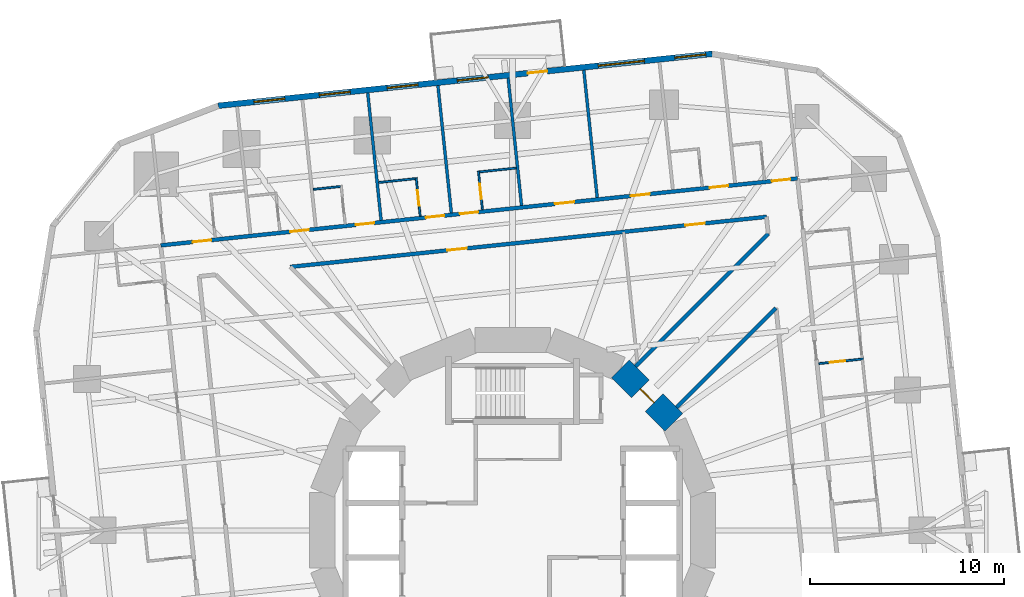
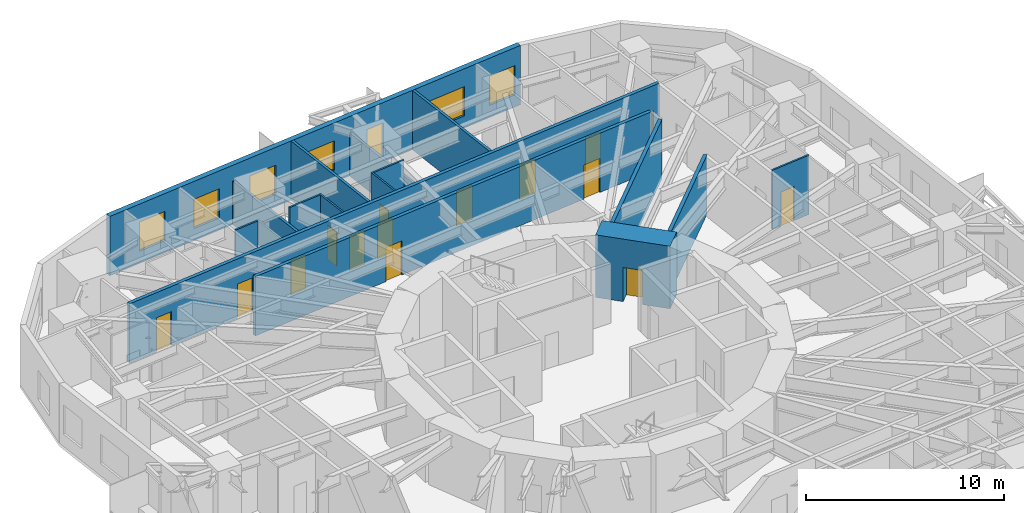
# One storey, part 10 of 13: 16 doors, 16 walls, 6 windows, 22 openings.
"""IFC4 building model written with IfcOpenShell, lengths in metres."""

from ifc_helpers import new_model, si_unit, direction, frame, frame_2d, origin, place, context, subcontext, project, spatial, rectangle, extrude, material, layer, layer_set, type_object, element, fill, save


model = new_model("IFC4")

# Units and contexts
model_context = context("Model", 3, precision=1e-05, world=origin(), true_north=direction((0.0, 1.0)))
body_context = subcontext(model_context, "Body", "Model", "MODEL_VIEW")
ifc_project = project(units=[si_unit("LENGTHUNIT", "METRE"), si_unit("AREAUNIT", "SQUARE_METRE"), si_unit("VOLUMEUNIT", "CUBIC_METRE"), si_unit("PLANEANGLEUNIT", "RADIAN"), si_unit("MASSUNIT", "GRAM", prefix="KILO")], contexts=[model_context])

# Site, building, storey
site_placement = place(None, origin())
site = spatial("IfcSite", under=ifc_project, at=site_placement, CompositionType="ELEMENT")
building_placement = place(site_placement, origin())
building = spatial("IfcBuilding", under=site, at=building_placement, Name="Nakasero Lantern House", CompositionType="ELEMENT")
storey_placement = place(building_placement, frame((0.0, 0.0, 83.60009765625)))
storey = spatial("IfcBuildingStorey", under=building, at=storey_placement, Name="L20", CompositionType="ELEMENT", Elevation=83.60009765625)

# Wall, opening, door
ifc_material_1 = material(Name="Concrete C50/60", Category="concrete")
ifc_layer_1 = layer(ifc_material_1, 1.300048828125)
ifc_layer_set_1 = layer_set([ifc_layer_1], Name="Core wall 1300")
wall_type_1 = type_object("IfcWallType", Name="Core wall 1300", PredefinedType="SHEAR", material=ifc_layer_set_1)
wall_1_placement = place(storey_placement, frame((8.314697265625, 5.5556640625, 0.0), z_axis=(0.0, 0.0, 1.0), x_axis=(-0.707106781187, 0.707106781187, 0.0)))
wall_1 = element("IfcWall", 1, at=wall_1_placement, inside=storey, type_object=wall_type_1, Name="Core wall L20 facet 2", PredefinedType="SHEAR", context=body_context, shape_type="SweptSolid", body=[
    extrude(rectangle(XDim=3.90185546875, YDim=1.300048828125, at=frame_2d((1.950927734375, 0.0))), origin(), (0.0, 0.0, 1.0), 3.849853515625),
])
opening_1_placement = place(wall_1_placement, frame((1.450927734375, 0.0, 0.0)))
opening_1 = element("IfcOpeningElement", 2, at=opening_1_placement, cuts=wall_1, Name="Opening D05", PredefinedType="OPENING", context=body_context, shape_type="SweptSolid", body=[
    extrude(rectangle(XDim=1.0, YDim=2.10009765625, at=frame_2d((0.5, 1.050048828125))), frame((0.0, 0.669921875, 0.0), z_axis=(0.0, -1.0, 0.0), x_axis=(1.0, 0.0, 0.0)), (0.0, 0.0, 1.0), 1.340087890625),
])
ifc_material_2 = material(Name="Timber C24", Category="wood")
door_type_1 = type_object("IfcDoorType", Name="Core door FD60S 1000", OperationType="SINGLE_SWING_LEFT", PredefinedType="DOOR", material=ifc_material_2)
door_1_placement = place(opening_1_placement, origin())
door_1 = element("IfcDoor", 3, at=door_1_placement, inside=storey, type_object=door_type_1, Name="Door L20 D-CORE02", OperationType="SINGLE_SWING_LEFT", OverallHeight=2.10009765625, OverallWidth=1.0, PredefinedType="DOOR", context=body_context, shape_type="SweptSolid", body=[
    extrude(rectangle(XDim=1.0, YDim=2.10009765625, at=frame_2d((0.5, 1.050048828125))), frame((0.0, 0.02490234375, 0.0), z_axis=(0.0, -1.0, 0.0), x_axis=(1.0, 0.0, 0.0)), (0.0, 0.0, 1.0), 0.050048828125),
])
fill(opening_1, door_1)

# Wall, openings, doors
ifc_material_3 = material(Name="Blockwork", Category="masonry")
ifc_layer_2 = layer(ifc_material_3, 0.199951171875)
ifc_layer_set_2 = layer_set([ifc_layer_2], Name="Corridor wall 200")
wall_type_2 = type_object("IfcWallType", Name="Corridor wall 200", PredefinedType="PARTITIONING", material=ifc_layer_set_2)
wall_2_placement = place(storey_placement, frame((14.684814453125, 18.13427734375, 0.0), z_axis=(0.0, 0.0, 1.0), x_axis=(-0.994521777723, -0.10452958258, 0.0)))
wall_2 = element("IfcWall", 4, at=wall_2_placement, inside=storey, type_object=wall_type_2, Name="Corridor wall L20 CW1", PredefinedType="PARTITIONING", context=body_context, shape_type="SweptSolid", body=[
    extrude(rectangle(XDim=32.999755859375, YDim=0.199951171875, at=frame_2d((16.5, 0.0))), origin(), (0.0, 0.0, 1.0), 3.64990234375),
])
opening_2_placement = place(wall_2_placement, frame((0.375, 0.0, 0.0)))
opening_2 = element("IfcOpeningElement", 5, at=opening_2_placement, cuts=wall_2, Name="Opening D01", PredefinedType="OPENING", context=body_context, shape_type="SweptSolid", body=[
    extrude(rectangle(XDim=0.949951171875, YDim=2.10009765625, at=frame_2d((0.47509765625, 1.050048828125))), frame((0.0, 0.119873046875, 0.0), z_axis=(0.0, -1.0, 0.0), x_axis=(1.0, 0.0, 0.0)), (0.0, 0.0, 1.0), 0.239990234375),
])
opening_3_placement = place(wall_2_placement, frame((3.600341796875, 0.0, 0.0)))
opening_3 = element("IfcOpeningElement", 6, at=opening_3_placement, cuts=wall_2, Name="Opening D01", PredefinedType="OPENING", context=body_context, shape_type="SweptSolid", body=[
    extrude(rectangle(XDim=0.949951171875, YDim=2.10009765625, at=frame_2d((0.47509765625, 1.050048828125))), frame((0.0, 0.119873046875, 0.0), z_axis=(0.0, -1.0, 0.0), x_axis=(1.0, 0.0, 0.0)), (0.0, 0.0, 1.0), 0.239990234375),
])
opening_4_placement = place(wall_2_placement, frame((16.542724609375, 0.0, 0.0)))
opening_4 = element("IfcOpeningElement", 7, at=opening_4_placement, cuts=wall_2, Name="Opening D01", PredefinedType="OPENING", context=body_context, shape_type="SweptSolid", body=[
    extrude(rectangle(XDim=0.949951171875, YDim=2.10009765625, at=frame_2d((0.47509765625, 1.050048828125))), frame((0.0, 0.119873046875, 0.0), z_axis=(0.0, -1.0, 0.0), x_axis=(1.0, 0.0, 0.0)), (0.0, 0.0, 1.0), 0.239990234375),
])
opening_5_placement = place(wall_2_placement, frame((18.306396484375, 0.0, 0.0)))
opening_5 = element("IfcOpeningElement", 8, at=opening_5_placement, cuts=wall_2, Name="Opening D01", PredefinedType="OPENING", context=body_context, shape_type="SweptSolid", body=[
    extrude(rectangle(XDim=0.949951171875, YDim=2.10009765625, at=frame_2d((0.47509765625, 1.050048828125))), frame((0.0, 0.119873046875, 0.0), z_axis=(0.0, -1.0, 0.0), x_axis=(1.0, 0.0, 0.0)), (0.0, 0.0, 1.0), 0.239990234375),
])
opening_6_placement = place(wall_2_placement, frame((21.945068359375, 0.0, 0.0)))
opening_6 = element("IfcOpeningElement", 9, at=opening_6_placement, cuts=wall_2, Name="Opening D01", PredefinedType="OPENING", context=body_context, shape_type="SweptSolid", body=[
    extrude(rectangle(XDim=0.949951171875, YDim=2.10009765625, at=frame_2d((0.47509765625, 1.050048828125))), frame((0.0, 0.119873046875, 0.0), z_axis=(0.0, -1.0, 0.0), x_axis=(1.0, 0.0, 0.0)), (0.0, 0.0, 1.0), 0.239990234375),
])
opening_7_placement = place(wall_2_placement, frame((25.33056640625, 0.0, 0.0)))
opening_7 = element("IfcOpeningElement", 10, at=opening_7_placement, cuts=wall_2, Name="Opening D01", PredefinedType="OPENING", context=body_context, shape_type="SweptSolid", body=[
    extrude(rectangle(XDim=0.949951171875, YDim=2.10009765625, at=frame_2d((0.47509765625, 1.050048828125))), frame((0.0, 0.119873046875, 0.0), z_axis=(0.0, -1.0, 0.0), x_axis=(1.0, 0.0, 0.0)), (0.0, 0.0, 1.0), 0.239990234375),
])
opening_8_placement = place(wall_2_placement, frame((30.39111328125, 0.0, 0.0)))
opening_8 = element("IfcOpeningElement", 11, at=opening_8_placement, cuts=wall_2, Name="Opening D01", PredefinedType="OPENING", context=body_context, shape_type="SweptSolid", body=[
    extrude(rectangle(XDim=0.949951171875, YDim=2.10009765625, at=frame_2d((0.47509765625, 1.050048828125))), frame((0.0, 0.119873046875, 0.0), z_axis=(0.0, -1.0, 0.0), x_axis=(1.0, 0.0, 0.0)), (0.0, 0.0, 1.0), 0.239990234375),
])
opening_9_placement = place(wall_2_placement, frame((7.650634765625, 0.0, 0.0)))
opening_9 = element("IfcOpeningElement", 12, at=opening_9_placement, cuts=wall_2, Name="Opening D03", PredefinedType="OPENING", context=body_context, shape_type="SweptSolid", body=[
    extrude(rectangle(XDim=1.0, YDim=2.10009765625, at=frame_2d((0.5, 1.050048828125))), frame((0.0, 0.119873046875, 0.0), z_axis=(0.0, -1.0, 0.0), x_axis=(1.0, 0.0, 0.0)), (0.0, 0.0, 1.0), 0.239990234375),
])
opening_10_placement = place(wall_2_placement, frame((11.57177734375, 0.0, 0.0)))
opening_10 = element("IfcOpeningElement", 13, at=opening_10_placement, cuts=wall_2, Name="Opening D03", PredefinedType="OPENING", context=body_context, shape_type="SweptSolid", body=[
    extrude(rectangle(XDim=1.0, YDim=2.10009765625, at=frame_2d((0.5, 1.050048828125))), frame((0.0, 0.119873046875, 0.0), z_axis=(0.0, -1.0, 0.0), x_axis=(1.0, 0.0, 0.0)), (0.0, 0.0, 1.0), 0.239990234375),
])
ifc_material_4 = material(Name="Timber C24", Category="wood")
door_type_2 = type_object("IfcDoorType", Name="Bedroom door FD30S 950", OperationType="SINGLE_SWING_LEFT", PredefinedType="DOOR", material=ifc_material_4)
door_2_placement = place(opening_2_placement, origin())
door_2 = element("IfcDoor", 14, at=door_2_placement, inside=storey, type_object=door_type_2, Name="Door L20 D1-00", OperationType="SINGLE_SWING_LEFT", OverallHeight=2.10009765625, OverallWidth=0.949951171875, PredefinedType="DOOR", context=body_context, shape_type="SweptSolid", body=[
    extrude(rectangle(XDim=0.949951171875, YDim=2.10009765625, at=frame_2d((0.47509765625, 1.050048828125))), frame((0.0, 0.02490234375, 0.0), z_axis=(0.0, -1.0, 0.0), x_axis=(1.0, 0.0, 0.0)), (0.0, 0.0, 1.0), 0.050048828125),
])
fill(opening_2, door_2)
door_3_placement = place(opening_3_placement, origin())
door_3 = element("IfcDoor", 15, at=door_3_placement, inside=storey, type_object=door_type_2, Name="Door L20 D1-01", OperationType="SINGLE_SWING_LEFT", OverallHeight=2.10009765625, OverallWidth=0.949951171875, PredefinedType="DOOR", context=body_context, shape_type="SweptSolid", body=[
    extrude(rectangle(XDim=0.949951171875, YDim=2.10009765625, at=frame_2d((0.47509765625, 1.050048828125))), frame((0.0, 0.02490234375, 0.0), z_axis=(0.0, -1.0, 0.0), x_axis=(1.0, 0.0, 0.0)), (0.0, 0.0, 1.0), 0.050048828125),
])
fill(opening_3, door_3)
door_4_placement = place(opening_4_placement, origin())
door_4 = element("IfcDoor", 16, at=door_4_placement, inside=storey, type_object=door_type_2, Name="Door L20 D1-04", OperationType="SINGLE_SWING_RIGHT", OverallHeight=2.10009765625, OverallWidth=0.949951171875, PredefinedType="DOOR", context=body_context, shape_type="SweptSolid", body=[
    extrude(rectangle(XDim=0.949951171875, YDim=2.10009765625, at=frame_2d((0.47509765625, 1.050048828125))), frame((0.0, 0.02490234375, 0.0), z_axis=(0.0, -1.0, 0.0), x_axis=(1.0, 0.0, 0.0)), (0.0, 0.0, 1.0), 0.050048828125),
])
fill(opening_4, door_4)
door_5_placement = place(opening_5_placement, origin())
door_5 = element("IfcDoor", 17, at=door_5_placement, inside=storey, type_object=door_type_2, Name="Door L20 D1-05", OperationType="SINGLE_SWING_RIGHT", OverallHeight=2.10009765625, OverallWidth=0.949951171875, PredefinedType="DOOR", context=body_context, shape_type="SweptSolid", body=[
    extrude(rectangle(XDim=0.949951171875, YDim=2.10009765625, at=frame_2d((0.47509765625, 1.050048828125))), frame((0.0, 0.02490234375, 0.0), z_axis=(0.0, -1.0, 0.0), x_axis=(1.0, 0.0, 0.0)), (0.0, 0.0, 1.0), 0.050048828125),
])
fill(opening_5, door_5)
door_6_placement = place(opening_6_placement, origin())
door_6 = element("IfcDoor", 18, at=door_6_placement, inside=storey, type_object=door_type_2, Name="Door L20 D1-06", OperationType="SINGLE_SWING_RIGHT", OverallHeight=2.10009765625, OverallWidth=0.949951171875, PredefinedType="DOOR", context=body_context, shape_type="SweptSolid", body=[
    extrude(rectangle(XDim=0.949951171875, YDim=2.10009765625, at=frame_2d((0.47509765625, 1.050048828125))), frame((0.0, 0.02490234375, 0.0), z_axis=(0.0, -1.0, 0.0), x_axis=(1.0, 0.0, 0.0)), (0.0, 0.0, 1.0), 0.050048828125),
])
fill(opening_6, door_6)
door_7_placement = place(opening_7_placement, origin())
door_7 = element("IfcDoor", 19, at=door_7_placement, inside=storey, type_object=door_type_2, Name="Door L20 D1-07", OperationType="SINGLE_SWING_RIGHT", OverallHeight=2.10009765625, OverallWidth=0.949951171875, PredefinedType="DOOR", context=body_context, shape_type="SweptSolid", body=[
    extrude(rectangle(XDim=0.949951171875, YDim=2.10009765625, at=frame_2d((0.47509765625, 1.050048828125))), frame((0.0, 0.02490234375, 0.0), z_axis=(0.0, -1.0, 0.0), x_axis=(1.0, 0.0, 0.0)), (0.0, 0.0, 1.0), 0.050048828125),
])
fill(opening_7, door_7)
door_8_placement = place(opening_8_placement, origin())
door_8 = element("IfcDoor", 20, at=door_8_placement, inside=storey, type_object=door_type_2, Name="Door L20 D1-08", OperationType="SINGLE_SWING_RIGHT", OverallHeight=2.10009765625, OverallWidth=0.949951171875, PredefinedType="DOOR", context=body_context, shape_type="SweptSolid", body=[
    extrude(rectangle(XDim=0.949951171875, YDim=2.10009765625, at=frame_2d((0.47509765625, 1.050048828125))), frame((0.0, 0.02490234375, 0.0), z_axis=(0.0, -1.0, 0.0), x_axis=(1.0, 0.0, 0.0)), (0.0, 0.0, 1.0), 0.050048828125),
])
fill(opening_8, door_8)
ifc_material_5 = material(Name="Timber C24", Category="wood")
door_type_3 = type_object("IfcDoorType", Name="Lounge door FD30S 1000", OperationType="SINGLE_SWING_LEFT", PredefinedType="DOOR", material=ifc_material_5)
door_9_placement = place(opening_9_placement, origin())
door_9 = element("IfcDoor", 21, at=door_9_placement, inside=storey, type_object=door_type_3, Name="Door L20 DK1", OperationType="SINGLE_SWING_LEFT", OverallHeight=2.10009765625, OverallWidth=1.0, PredefinedType="DOOR", context=body_context, shape_type="SweptSolid", body=[
    extrude(rectangle(XDim=1.0, YDim=2.10009765625, at=frame_2d((0.5, 1.050048828125))), frame((0.0, 0.02490234375, 0.0), z_axis=(0.0, -1.0, 0.0), x_axis=(1.0, 0.0, 0.0)), (0.0, 0.0, 1.0), 0.050048828125),
])
fill(opening_9, door_9)
door_10_placement = place(opening_10_placement, origin())
door_10 = element("IfcDoor", 22, at=door_10_placement, inside=storey, type_object=door_type_3, Name="Door L20 DK1-1", OperationType="SINGLE_SWING_LEFT", OverallHeight=2.10009765625, OverallWidth=1.0, PredefinedType="DOOR", context=body_context, shape_type="SweptSolid", body=[
    extrude(rectangle(XDim=1.0, YDim=2.10009765625, at=frame_2d((0.5, 1.050048828125))), frame((0.0, 0.02490234375, 0.0), z_axis=(0.0, -1.0, 0.0), x_axis=(1.0, 0.0, 0.0)), (0.0, 0.0, 1.0), 0.050048828125),
])
fill(opening_10, door_10)

wall_3_placement = place(storey_placement, frame((13.0830078125, 16.156005859375, 0.0), z_axis=(0.0, 0.0, 1.0), x_axis=(-0.994521922819, -0.104528202096, 0.0)))
wall_3 = element("IfcWall", 23, at=wall_3_placement, inside=storey, type_object=wall_type_2, Name="Corridor wall L20 IW1-0", PredefinedType="PARTITIONING", context=body_context, shape_type="SweptSolid", body=[
    extrude(rectangle(XDim=24.673828125, YDim=0.199951171875, at=frame_2d((12.3369140625, 0.0))), origin(), (0.0, 0.0, 1.0), 3.64990234375),
])
opening_11_placement = place(wall_3_placement, frame((3.201171875, 0.0, 0.0)))
opening_11 = element("IfcOpeningElement", 24, at=opening_11_placement, cuts=wall_3, Name="Opening D07", PredefinedType="OPENING", context=body_context, shape_type="SweptSolid", body=[
    extrude(rectangle(XDim=1.0, YDim=2.10009765625, at=frame_2d((0.5, 1.050048828125))), frame((0.0, 0.119873046875, 0.0), z_axis=(0.0, -1.0, 0.0), x_axis=(1.0, 0.0, 0.0)), (0.0, 0.0, 1.0), 0.239990234375),
])
opening_12_placement = place(wall_3_placement, frame((15.537841796875, 0.0, 0.0)))
opening_12 = element("IfcOpeningElement", 25, at=opening_12_placement, cuts=wall_3, Name="Opening D07", PredefinedType="OPENING", context=body_context, shape_type="SweptSolid", body=[
    extrude(rectangle(XDim=1.0, YDim=2.10009765625, at=frame_2d((0.5, 1.050048828125))), frame((0.0, 0.119873046875, 0.0), z_axis=(0.0, -1.0, 0.0), x_axis=(1.0, 0.0, 0.0)), (0.0, 0.0, 1.0), 0.239990234375),
])
ifc_material_6 = material(Name="Timber C24", Category="wood")
door_type_4 = type_object("IfcDoorType", Name="Room door FD30S 1000", OperationType="SINGLE_SWING_LEFT", PredefinedType="DOOR", material=ifc_material_6)
door_11_placement = place(opening_11_placement, origin())
door_11 = element("IfcDoor", 26, at=door_11_placement, inside=storey, type_object=door_type_4, Name="Door L20 DI3", OperationType="SINGLE_SWING_LEFT", OverallHeight=2.10009765625, OverallWidth=1.0, PredefinedType="DOOR", context=body_context, shape_type="SweptSolid", body=[
    extrude(rectangle(XDim=1.0, YDim=2.10009765625, at=frame_2d((0.5, 1.050048828125))), frame((0.0, 0.02490234375, 0.0), z_axis=(0.0, -1.0, 0.0), x_axis=(1.0, 0.0, 0.0)), (0.0, 0.0, 1.0), 0.050048828125),
])
fill(opening_11, door_11)
door_12_placement = place(opening_12_placement, origin())
door_12 = element("IfcDoor", 27, at=door_12_placement, inside=storey, type_object=door_type_4, Name="Door L20 DI3S", OperationType="SINGLE_SWING_RIGHT", OverallHeight=2.10009765625, OverallWidth=1.0, PredefinedType="DOOR", context=body_context, shape_type="SweptSolid", body=[
    extrude(rectangle(XDim=1.0, YDim=2.10009765625, at=frame_2d((0.5, 1.050048828125))), frame((0.0, 0.02490234375, 0.0), z_axis=(0.0, -1.0, 0.0), x_axis=(1.0, 0.0, 0.0)), (0.0, 0.0, 1.0), 0.050048828125),
])
fill(opening_12, door_12)

# Walls
wall_4_placement = place(storey_placement, frame((6.334228515625, 8.45556640625, 0.0), z_axis=(0.0, 0.0, 1.0), x_axis=(0.707106781187, 0.707106781187, 0.0)))
element("IfcWall", 28, at=wall_4_placement, inside=storey, type_object=wall_type_2, Name="Corridor wall L20 PS02a", PredefinedType="PARTITIONING", context=body_context, shape_type="SweptSolid", body=[
    extrude(rectangle(XDim=9.671875, YDim=0.199951171875, at=frame_2d((4.8359375, 0.0))), origin(), (0.0, 0.0, 1.0), 3.64990234375),
])
wall_5_placement = place(storey_placement, frame((8.45556640625, 6.334228515625, 0.0), z_axis=(0.0, 0.0, 1.0), x_axis=(0.707106781187, 0.707106781187, 0.0)))
element("IfcWall", 29, at=wall_5_placement, inside=storey, type_object=wall_type_2, Name="Corridor wall L20 PS02b", PredefinedType="PARTITIONING", context=body_context, shape_type="SweptSolid", body=[
    extrude(rectangle(XDim=7.24267578125, YDim=0.199951171875, at=frame_2d((3.621337890625, 0.0))), origin(), (0.0, 0.0, 1.0), 3.64990234375),
])

# Wall, opening, door
ifc_material_7 = material(Name="Blockwork", Category="masonry")
ifc_layer_3 = layer(ifc_material_7, 0.10009765625)
ifc_layer_set_3 = layer_set([ifc_layer_3], Name="En-suite wall 100")
wall_type_3 = type_object("IfcWallType", Name="En-suite wall 100", PredefinedType="PARTITIONING", material=ifc_layer_set_3)
wall_6_placement = place(storey_placement, frame((15.788330078125, 8.592529296875, 0.0), z_axis=(0.0, 0.0, 1.0), x_axis=(0.994529855142, 0.104452703326, 0.0)))
wall_6 = element("IfcWall", 30, at=wall_6_placement, inside=storey, type_object=wall_type_3, Name="En-suite wall L20 ES0-06", PredefinedType="PARTITIONING", context=body_context, shape_type="SweptSolid", body=[
    extrude(rectangle(XDim=2.300048828125, YDim=0.10009765625, at=frame_2d((1.14990234375, 0.0))), origin(), (0.0, 0.0, 1.0), 3.64990234375),
])
opening_13_placement = place(wall_6_placement, frame((0.550048828125, 0.0, 0.0)))
opening_13 = element("IfcOpeningElement", 31, at=opening_13_placement, cuts=wall_6, Name="Opening D02", PredefinedType="OPENING", context=body_context, shape_type="SweptSolid", body=[
    extrude(rectangle(XDim=0.800048828125, YDim=2.10009765625, at=frame_2d((0.39990234375, 1.050048828125))), frame((0.0, 0.070068359375, 0.0), z_axis=(0.0, -1.0, 0.0), x_axis=(1.0, 0.0, 0.0)), (0.0, 0.0, 1.0), 0.14013671875),
])
ifc_material_8 = material(Name="Timber C24", Category="wood")
door_type_5 = type_object("IfcDoorType", Name="En-suite door 800", OperationType="SINGLE_SWING_RIGHT", PredefinedType="DOOR", material=ifc_material_8)
door_13_placement = place(opening_13_placement, origin())
door_13 = element("IfcDoor", 32, at=door_13_placement, inside=storey, type_object=door_type_5, Name="Door L20 DE0-06", OperationType="SINGLE_SWING_LEFT", OverallHeight=2.10009765625, OverallWidth=0.800048828125, PredefinedType="DOOR", context=body_context, shape_type="SweptSolid", body=[
    extrude(rectangle(XDim=0.800048828125, YDim=2.10009765625, at=frame_2d((0.39990234375, 1.050048828125))), frame((0.0, 0.02490234375, 0.0), z_axis=(0.0, -1.0, 0.0), x_axis=(1.0, 0.0, 0.0)), (0.0, 0.0, 1.0), 0.050048828125),
])
fill(opening_13, door_13)

wall_7_placement = place(storey_placement, frame((-1.553955078125, 16.528076171875, 0.0), z_axis=(0.0, 0.0, 1.0), x_axis=(-0.104494148666, 0.99452550138, 0.0)))
wall_7 = element("IfcWall", 33, at=wall_7_placement, inside=storey, type_object=wall_type_3, Name="En-suite wall L20 ES1-04", PredefinedType="PARTITIONING", context=body_context, shape_type="SweptSolid", body=[
    extrude(rectangle(XDim=2.0, YDim=0.10009765625, at=frame_2d((1.0, 0.0))), origin(), (0.0, 0.0, 1.0), 3.64990234375),
])
opening_14_placement = place(wall_7_placement, frame((0.550048828125, 0.0, 0.0)))
opening_14 = element("IfcOpeningElement", 34, at=opening_14_placement, cuts=wall_7, Name="Opening D02", PredefinedType="OPENING", context=body_context, shape_type="SweptSolid", body=[
    extrude(rectangle(XDim=0.800048828125, YDim=2.10009765625, at=frame_2d((0.39990234375, 1.050048828125))), frame((0.0, 0.070068359375, 0.0), z_axis=(0.0, -1.0, 0.0), x_axis=(1.0, 0.0, 0.0)), (0.0, 0.0, 1.0), 0.14013671875),
])
door_14_placement = place(opening_14_placement, origin())
door_14 = element("IfcDoor", 35, at=door_14_placement, inside=storey, type_object=door_type_5, Name="Door L20 DE1-04", OperationType="SINGLE_SWING_LEFT", OverallHeight=2.10009765625, OverallWidth=0.800048828125, PredefinedType="DOOR", context=body_context, shape_type="SweptSolid", body=[
    extrude(rectangle(XDim=0.800048828125, YDim=2.10009765625, at=frame_2d((0.39990234375, 1.050048828125))), frame((0.0, 0.02490234375, 0.0), z_axis=(0.0, -1.0, 0.0), x_axis=(1.0, 0.0, 0.0)), (0.0, 0.0, 1.0), 0.050048828125),
])
fill(opening_14, door_14)

# Wall
wall_8_placement = place(storey_placement, frame((0.181396484375, 18.671142578125, 0.0), z_axis=(0.0, 0.0, 1.0), x_axis=(-0.994527260141, -0.104477408256, 0.0)))
element("IfcWall", 36, at=wall_8_placement, inside=storey, type_object=wall_type_3, Name="En-suite wall L20 EE1-04", PredefinedType="PARTITIONING", context=body_context, shape_type="SweptSolid", body=[
    extrude(rectangle(XDim=1.89990234375, YDim=0.10009765625, at=frame_2d((0.949951171875, 0.0))), origin(), (0.0, 0.0, 1.0), 3.64990234375),
])

# Wall, opening, door
wall_9_placement = place(storey_placement, frame((-4.763427734375, 16.190673828125, 0.0), z_axis=(0.0, 0.0, 1.0), x_axis=(-0.104602187203, 0.994514143908, 0.0)))
wall_9 = element("IfcWall", 37, at=wall_9_placement, inside=storey, type_object=wall_type_3, Name="En-suite wall L20 ES1-05", PredefinedType="PARTITIONING", context=body_context, shape_type="SweptSolid", body=[
    extrude(rectangle(XDim=2.000244140625, YDim=0.10009765625, at=frame_2d((1.0, 0.0))), origin(), (0.0, 0.0, 1.0), 3.64990234375),
])
opening_15_placement = place(wall_9_placement, frame((0.550048828125, 0.0, 0.0)))
opening_15 = element("IfcOpeningElement", 38, at=opening_15_placement, cuts=wall_9, Name="Opening D02", PredefinedType="OPENING", context=body_context, shape_type="SweptSolid", body=[
    extrude(rectangle(XDim=0.800048828125, YDim=2.10009765625, at=frame_2d((0.39990234375, 1.050048828125))), frame((0.0, 0.070068359375, 0.0), z_axis=(0.0, -1.0, 0.0), x_axis=(1.0, 0.0, 0.0)), (0.0, 0.0, 1.0), 0.14013671875),
])
door_15_placement = place(opening_15_placement, origin())
door_15 = element("IfcDoor", 39, at=door_15_placement, inside=storey, type_object=door_type_5, Name="Door L20 DE1-05", OperationType="SINGLE_SWING_LEFT", OverallHeight=2.10009765625, OverallWidth=0.800048828125, PredefinedType="DOOR", context=body_context, shape_type="SweptSolid", body=[
    extrude(rectangle(XDim=0.800048828125, YDim=2.10009765625, at=frame_2d((0.39990234375, 1.050048828125))), frame((0.0, 0.02490234375, 0.0), z_axis=(0.0, -1.0, 0.0), x_axis=(1.0, 0.0, 0.0)), (0.0, 0.0, 1.0), 0.050048828125),
])
fill(opening_15, door_15)

# Walls
wall_10_placement = place(storey_placement, frame((-5.01708984375, 18.124755859375, 0.0), z_axis=(0.0, 0.0, 1.0), x_axis=(-0.994528662611, -0.104464057197, 0.0)))
element("IfcWall", 40, at=wall_10_placement, inside=storey, type_object=wall_type_3, Name="En-suite wall L20 EE1-05", PredefinedType="PARTITIONING", context=body_context, shape_type="SweptSolid", body=[
    extrude(rectangle(XDim=1.900146484375, YDim=0.10009765625, at=frame_2d((0.9501953125, 0.0))), origin(), (0.0, 0.0, 1.0), 3.64990234375),
])
wall_11_placement = place(storey_placement, frame((-8.88134765625, 17.71875, 0.0), z_axis=(0.0, 0.0, 1.0), x_axis=(-0.994511184598, -0.104630319263, 0.0)))
element("IfcWall", 41, at=wall_11_placement, inside=storey, type_object=wall_type_3, Name="En-suite wall L20 EE1-06", PredefinedType="PARTITIONING", context=body_context, shape_type="SweptSolid", body=[
    extrude(rectangle(XDim=1.39990234375, YDim=0.10009765625, at=frame_2d((0.699951171875, 0.0))), origin(), (0.0, 0.0, 1.0), 3.64990234375),
])

# Wall, openings, door, windows
ifc_material_9 = material(Name="Aluminium rainscreen on blockwork", Category="masonry")
ifc_layer_4 = layer(ifc_material_9, 0.300048828125)
ifc_layer_set_4 = layer_set([ifc_layer_4], Name="Facade wall 300")
wall_type_4 = type_object("IfcWallType", Name="Facade wall 300", PredefinedType="SOLIDWALL", material=ifc_layer_set_4)
wall_12_placement = place(storey_placement, frame((10.2890625, 24.56005859375, 0.0), z_axis=(0.0, 0.0, 1.0), x_axis=(-0.994521483895, -0.104532378096, 0.0)))
wall_12 = element("IfcWall", 42, at=wall_12_placement, inside=storey, type_object=wall_type_4, Name="Facade wall L20 FW1S", PredefinedType="SOLIDWALL", context=body_context, shape_type="SweptSolid", body=[
    extrude(rectangle(XDim=25.599853515625, YDim=0.300048828125, at=frame_2d((12.7998046875, 0.0))), origin(), (0.0, 0.0, 1.0), 3.64990234375),
])
opening_16_placement = place(wall_12_placement, frame((0.337890625, 0.0, 0.75)))
opening_16 = element("IfcOpeningElement", 43, at=opening_16_placement, cuts=wall_12, Name="Opening W01", PredefinedType="OPENING", context=body_context, shape_type="SweptSolid", body=[
    extrude(rectangle(XDim=1.60009765625, YDim=1.800048828125, at=frame_2d((0.800048828125, 0.89990234375))), frame((0.0, 0.169921875, 0.0), z_axis=(0.0, -1.0, 0.0), x_axis=(1.0, 0.0, 0.0)), (0.0, 0.0, 1.0), 0.340087890625),
])
opening_17_placement = place(wall_12_placement, frame((11.612060546875, 0.0, 0.75)))
opening_17 = element("IfcOpeningElement", 44, at=opening_17_placement, cuts=wall_12, Name="Opening W01", PredefinedType="OPENING", context=body_context, shape_type="SweptSolid", body=[
    extrude(rectangle(XDim=1.60009765625, YDim=1.800048828125, at=frame_2d((0.800048828125, 0.89990234375))), frame((0.0, 0.169921875, 0.0), z_axis=(0.0, -1.0, 0.0), x_axis=(1.0, 0.0, 0.0)), (0.0, 0.0, 1.0), 0.340087890625),
])
opening_18_placement = place(wall_12_placement, frame((15.250732421875, 0.0, 0.75)))
opening_18 = element("IfcOpeningElement", 45, at=opening_18_placement, cuts=wall_12, Name="Opening W01", PredefinedType="OPENING", context=body_context, shape_type="SweptSolid", body=[
    extrude(rectangle(XDim=1.60009765625, YDim=1.800048828125, at=frame_2d((0.800048828125, 0.89990234375))), frame((0.0, 0.169921875, 0.0), z_axis=(0.0, -1.0, 0.0), x_axis=(1.0, 0.0, 0.0)), (0.0, 0.0, 1.0), 0.340087890625),
])
opening_19_placement = place(wall_12_placement, frame((18.7626953125, 0.0, 0.75)))
opening_19 = element("IfcOpeningElement", 46, at=opening_19_placement, cuts=wall_12, Name="Opening W01", PredefinedType="OPENING", context=body_context, shape_type="SweptSolid", body=[
    extrude(rectangle(XDim=1.60009765625, YDim=1.800048828125, at=frame_2d((0.800048828125, 0.89990234375))), frame((0.0, 0.169921875, 0.0), z_axis=(0.0, -1.0, 0.0), x_axis=(1.0, 0.0, 0.0)), (0.0, 0.0, 1.0), 0.340087890625),
])
opening_20_placement = place(wall_12_placement, frame((22.1484375, 0.0, 0.75)))
opening_20 = element("IfcOpeningElement", 47, at=opening_20_placement, cuts=wall_12, Name="Opening W01", PredefinedType="OPENING", context=body_context, shape_type="SweptSolid", body=[
    extrude(rectangle(XDim=1.60009765625, YDim=1.800048828125, at=frame_2d((0.800048828125, 0.89990234375))), frame((0.0, 0.169921875, 0.0), z_axis=(0.0, -1.0, 0.0), x_axis=(1.0, 0.0, 0.0)), (0.0, 0.0, 1.0), 0.340087890625),
])
opening_21_placement = place(wall_12_placement, frame((3.51123046875, 0.0, 0.75)))
opening_21 = element("IfcOpeningElement", 48, at=opening_21_placement, cuts=wall_12, Name="Opening W03", PredefinedType="OPENING", context=body_context, shape_type="SweptSolid", body=[
    extrude(rectangle(XDim=2.39990234375, YDim=1.800048828125, at=frame_2d((1.199951171875, 0.89990234375))), frame((0.0, 0.169921875, 0.0), z_axis=(0.0, -1.0, 0.0), x_axis=(1.0, 0.0, 0.0)), (0.0, 0.0, 1.0), 0.340087890625),
])
opening_22_placement = place(wall_12_placement, frame((8.558837890625, 0.0, 0.0)))
opening_22 = element("IfcOpeningElement", 49, at=opening_22_placement, cuts=wall_12, Name="Opening D04", PredefinedType="OPENING", context=body_context, shape_type="SweptSolid", body=[
    extrude(rectangle(XDim=1.0, YDim=2.39990234375, at=frame_2d((0.5, 1.199951171875))), frame((0.0, 0.169921875, 0.0), z_axis=(0.0, -1.0, 0.0), x_axis=(1.0, 0.0, 0.0)), (0.0, 0.0, 1.0), 0.340087890625),
])
ifc_material_10 = material(Name="Aluminium 6063-T6 and glass", Category="aluminium")
door_type_6 = type_object("IfcDoorType", Name="Balcony door 1000x2400", OperationType="SINGLE_SWING_RIGHT", PredefinedType="DOOR", material=ifc_material_10)
door_16_placement = place(opening_22_placement, origin())
door_16 = element("IfcDoor", 50, at=door_16_placement, inside=storey, type_object=door_type_6, Name="Balcony door L20 DB1", OperationType="SINGLE_SWING_RIGHT", OverallHeight=2.39990234375, OverallWidth=1.0, PredefinedType="DOOR", context=body_context, shape_type="SweptSolid", body=[
    extrude(rectangle(XDim=1.0, YDim=2.39990234375, at=frame_2d((0.5, 1.199951171875))), frame((0.0, 0.02490234375, 0.0), z_axis=(0.0, -1.0, 0.0), x_axis=(1.0, 0.0, 0.0)), (0.0, 0.0, 1.0), 0.050048828125),
])
fill(opening_22, door_16)
ifc_material_11 = material(Name="Aluminium 6063-T6 and glass", Category="aluminium")
window_type_1 = type_object("IfcWindowType", Name="Bedroom window 1600x1800", PartitioningType="SINGLE_PANEL", PredefinedType="WINDOW", material=ifc_material_11)
window_1_placement = place(opening_16_placement, origin())
window_1 = element("IfcWindow", 51, at=window_1_placement, inside=storey, type_object=window_type_1, Name="Window L20 WN1-01", OverallHeight=1.800048828125, OverallWidth=1.60009765625, PartitioningType="SINGLE_PANEL", PredefinedType="WINDOW", context=body_context, shape_type="SweptSolid", body=[
    extrude(rectangle(XDim=1.60009765625, YDim=1.800048828125, at=frame_2d((0.800048828125, 0.89990234375))), frame((0.0, 0.030029296875, 0.0), z_axis=(0.0, -1.0, 0.0), x_axis=(1.0, 0.0, 0.0)), (0.0, 0.0, 1.0), 0.06005859375),
])
fill(opening_16, window_1)
window_2_placement = place(opening_17_placement, origin())
window_2 = element("IfcWindow", 52, at=window_2_placement, inside=storey, type_object=window_type_1, Name="Window L20 WN1-04", OverallHeight=1.800048828125, OverallWidth=1.60009765625, PartitioningType="SINGLE_PANEL", PredefinedType="WINDOW", context=body_context, shape_type="SweptSolid", body=[
    extrude(rectangle(XDim=1.60009765625, YDim=1.800048828125, at=frame_2d((0.800048828125, 0.89990234375))), frame((0.0, 0.030029296875, 0.0), z_axis=(0.0, -1.0, 0.0), x_axis=(1.0, 0.0, 0.0)), (0.0, 0.0, 1.0), 0.06005859375),
])
fill(opening_17, window_2)
window_3_placement = place(opening_18_placement, origin())
window_3 = element("IfcWindow", 53, at=window_3_placement, inside=storey, type_object=window_type_1, Name="Window L20 WN1-05", OverallHeight=1.800048828125, OverallWidth=1.60009765625, PartitioningType="SINGLE_PANEL", PredefinedType="WINDOW", context=body_context, shape_type="SweptSolid", body=[
    extrude(rectangle(XDim=1.60009765625, YDim=1.800048828125, at=frame_2d((0.800048828125, 0.89990234375))), frame((0.0, 0.030029296875, 0.0), z_axis=(0.0, -1.0, 0.0), x_axis=(1.0, 0.0, 0.0)), (0.0, 0.0, 1.0), 0.06005859375),
])
fill(opening_18, window_3)
window_4_placement = place(opening_19_placement, origin())
window_4 = element("IfcWindow", 54, at=window_4_placement, inside=storey, type_object=window_type_1, Name="Window L20 WN1-06", OverallHeight=1.800048828125, OverallWidth=1.60009765625, PartitioningType="SINGLE_PANEL", PredefinedType="WINDOW", context=body_context, shape_type="SweptSolid", body=[
    extrude(rectangle(XDim=1.60009765625, YDim=1.800048828125, at=frame_2d((0.800048828125, 0.89990234375))), frame((0.0, 0.030029296875, 0.0), z_axis=(0.0, -1.0, 0.0), x_axis=(1.0, 0.0, 0.0)), (0.0, 0.0, 1.0), 0.06005859375),
])
fill(opening_19, window_4)
window_5_placement = place(opening_20_placement, origin())
window_5 = element("IfcWindow", 55, at=window_5_placement, inside=storey, type_object=window_type_1, Name="Window L20 WN1-07", OverallHeight=1.800048828125, OverallWidth=1.60009765625, PartitioningType="SINGLE_PANEL", PredefinedType="WINDOW", context=body_context, shape_type="SweptSolid", body=[
    extrude(rectangle(XDim=1.60009765625, YDim=1.800048828125, at=frame_2d((0.800048828125, 0.89990234375))), frame((0.0, 0.030029296875, 0.0), z_axis=(0.0, -1.0, 0.0), x_axis=(1.0, 0.0, 0.0)), (0.0, 0.0, 1.0), 0.06005859375),
])
fill(opening_20, window_5)
ifc_material_12 = material(Name="Aluminium 6063-T6 and glass", Category="aluminium")
window_type_2 = type_object("IfcWindowType", Name="Lounge window 2400x1800", PartitioningType="SINGLE_PANEL", PredefinedType="WINDOW", material=ifc_material_12)
window_6_placement = place(opening_21_placement, origin())
window_6 = element("IfcWindow", 56, at=window_6_placement, inside=storey, type_object=window_type_2, Name="Window L20 WK1", OverallHeight=1.800048828125, OverallWidth=2.39990234375, PartitioningType="SINGLE_PANEL", PredefinedType="WINDOW", context=body_context, shape_type="SweptSolid", body=[
    extrude(rectangle(XDim=2.39990234375, YDim=1.800048828125, at=frame_2d((1.199951171875, 0.89990234375))), frame((0.0, 0.030029296875, 0.0), z_axis=(0.0, -1.0, 0.0), x_axis=(1.0, 0.0, 0.0)), (0.0, 0.0, 1.0), 0.06005859375),
])
fill(opening_21, window_6)

# Walls
ifc_material_13 = material(Name="Blockwork", Category="masonry")
ifc_layer_5 = layer(ifc_material_13, 0.14990234375)
ifc_layer_set_5 = layer_set([ifc_layer_5], Name="Party wall 150")
wall_type_5 = type_object("IfcWallType", Name="Party wall 150", PredefinedType="PARTITIONING", material=ifc_layer_set_5)
wall_13_placement = place(storey_placement, frame((4.359619140625, 17.149658203125, 0.0), z_axis=(0.0, 0.0, 1.0), x_axis=(-0.104538438287, 0.994520846901, 0.0)))
element("IfcWall", 57, at=wall_13_placement, inside=storey, type_object=wall_type_5, Name="Party wall L20 PW1-03", PredefinedType="PARTITIONING", context=body_context, shape_type="SweptSolid", body=[
    extrude(rectangle(XDim=6.599853515625, YDim=0.14990234375, at=frame_2d((3.2998046875, 0.0))), origin(), (0.0, 0.0, 1.0), 3.64990234375),
])
wall_14_placement = place(storey_placement, frame((0.4599609375, 16.73974609375, 0.0), z_axis=(0.0, 0.0, 1.0), x_axis=(-0.104534592565, 0.994521251134, 0.0)))
element("IfcWall", 58, at=wall_14_placement, inside=storey, type_object=wall_type_5, Name="Party wall L20 PW1-04", PredefinedType="PARTITIONING", context=body_context, shape_type="SweptSolid", body=[
    extrude(rectangle(XDim=6.60009765625, YDim=0.14990234375, at=frame_2d((3.300048828125, 0.0))), origin(), (0.0, 0.0, 1.0), 2.64990234375),
])
wall_15_placement = place(storey_placement, frame((-3.15869140625, 16.359375, 0.0), z_axis=(0.0, 0.0, 1.0), x_axis=(-0.104534592565, 0.994521251134, 0.0)))
element("IfcWall", 59, at=wall_15_placement, inside=storey, type_object=wall_type_5, Name="Party wall L20 PW1-05", PredefinedType="PARTITIONING", context=body_context, shape_type="SweptSolid", body=[
    extrude(rectangle(XDim=6.60009765625, YDim=0.14990234375, at=frame_2d((3.300048828125, 0.0))), origin(), (0.0, 0.0, 1.0), 3.64990234375),
])
wall_16_placement = place(storey_placement, frame((-6.77734375, 15.97900390625, 0.0), z_axis=(0.0, 0.0, 1.0), x_axis=(-0.104534592565, 0.994521251134, 0.0)))
element("IfcWall", 60, at=wall_16_placement, inside=storey, type_object=wall_type_5, Name="Party wall L20 PW1-06", PredefinedType="PARTITIONING", context=body_context, shape_type="SweptSolid", body=[
    extrude(rectangle(XDim=6.60009765625, YDim=0.14990234375, at=frame_2d((3.300048828125, 0.0))), origin(), (0.0, 0.0, 1.0), 2.669921875),
])

save(model, "model.ifc")
